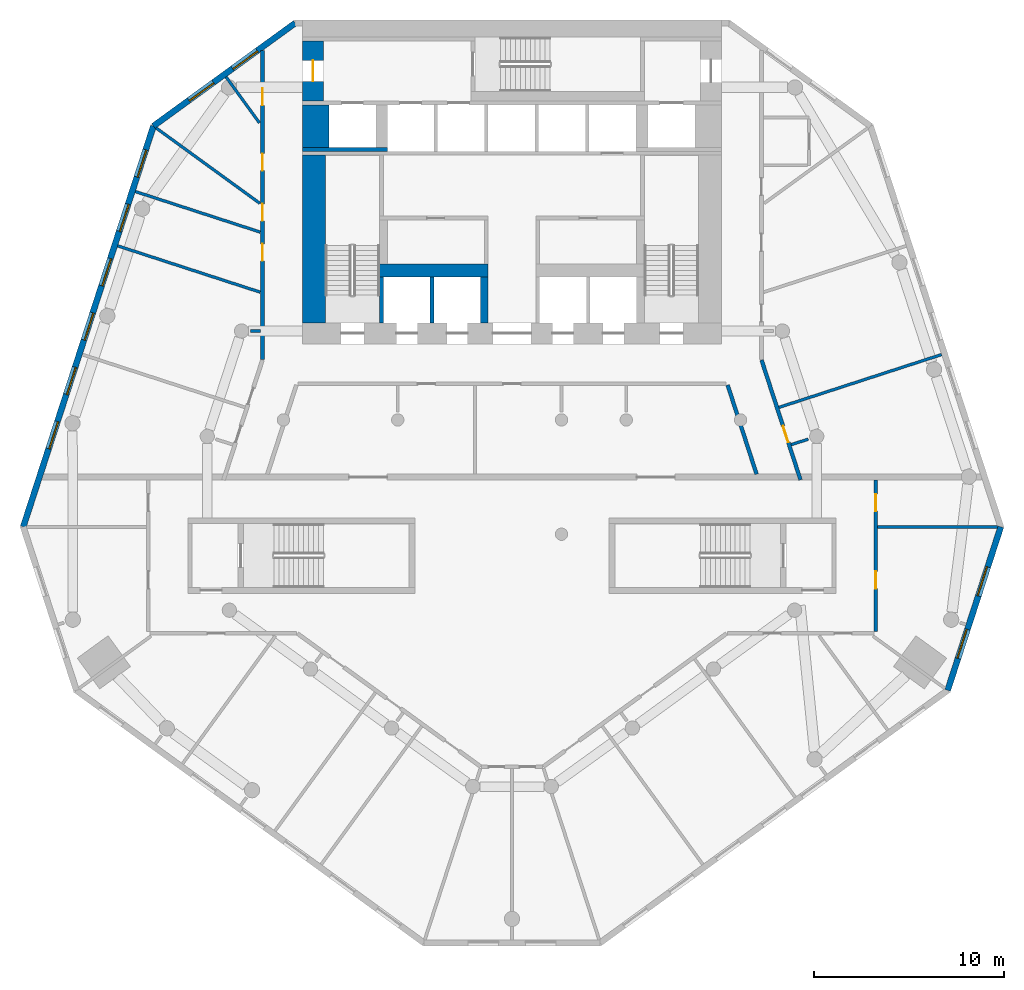
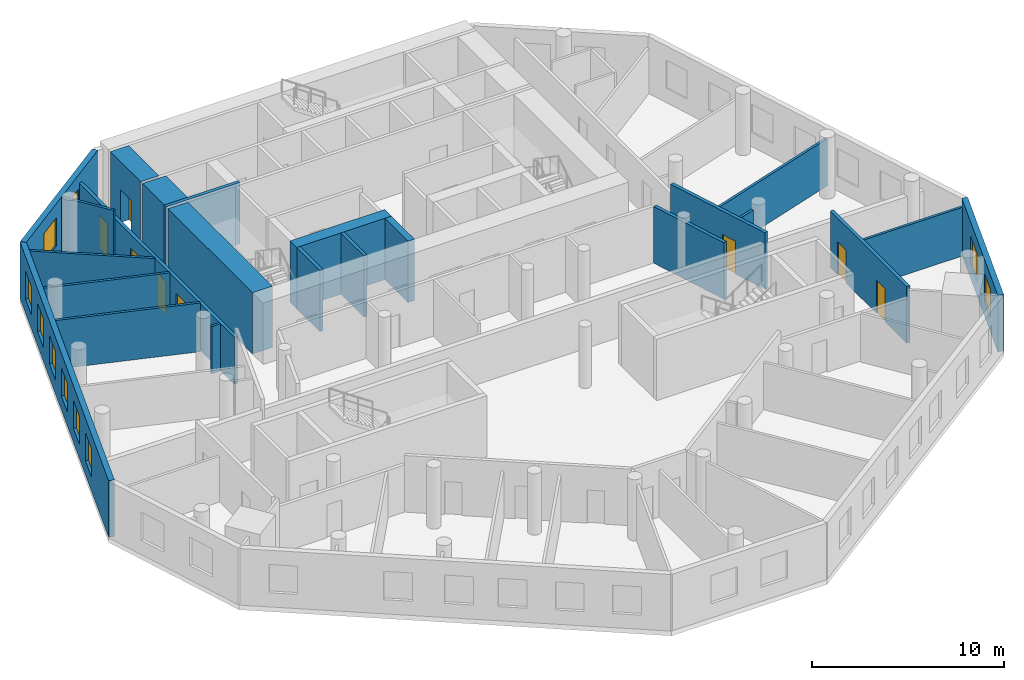
# One storey, part 4 of 9: 23 walls, 10 windows, 8 doors, 18 openings.
"""IFC4 building model written with IfcOpenShell, lengths in metres."""

import ifcopenshell
import ifcopenshell.guid

model = None  # the IFC model being written
_history = None  # IfcOwnerHistory: only IFC2X3 demands one
_inside = {}  # id of a spatial element -> (the spatial element, [elements in it])
_under = {}  # id of a project, library or spatial element -> (it, [spatial elements below it])
_declared = {}  # id of a project -> (the project, [libraries it declares])
_typed = {}  # id of a type object -> (the type object, [elements of that type])
_made_of = {}  # id of a material, layer set ... -> (it, [elements and type objects made of it])


def new_model(schema):
    """Start an empty IFC model of exactly this schema.

    Asked for "IFC4X3", IfcOpenShell would pick the latest addendum, in which some entities
    have other attributes; the version numbers below select the first issue.
    IFC2X3 requires an IfcOwnerHistory on every rooted entity: one is made here for all.
    """
    global model, _history
    if schema == "IFC4X3":
        model = ifcopenshell.file(schema_version=(4, 3, 0, 0))
    else:
        model = ifcopenshell.file(schema=schema)
    _inside.clear()
    _under.clear()
    _declared.clear()
    _typed.clear()
    _made_of.clear()
    _history = None
    if model.schema == "IFC2X3":
        org = make("IfcOrganization", Name="unknown")
        user = make(
            "IfcPersonAndOrganization",
            ThePerson=make("IfcPerson", FamilyName="unknown"),
            TheOrganization=org,
        )
        app = make(
            "IfcApplication",
            ApplicationDeveloper=org,
            Version="unknown",
            ApplicationFullName="unknown",
            ApplicationIdentifier="unknown",
        )
        _history = make(
            "IfcOwnerHistory",
            OwningUser=user,
            OwningApplication=app,
            ChangeAction="ADDED",
            CreationDate=0,
        )
    return model


def make(cls, **values):
    """One entity of the class cls with the attributes given. An attribute that is None is left unset."""
    return model.create_entity(
        cls, **{name: value for name, value in values.items() if value is not None}
    )


def rooted(cls, **values):
    """An entity with a GlobalId (a new one), such as an element, a storey or a relation."""
    return make(cls, GlobalId=ifcopenshell.guid.new(), OwnerHistory=_history, **values)


def si_unit(unit_type, name, prefix=None):
    """IfcSIUnit, for example si_unit("LENGTHUNIT", "METRE", prefix="MILLI")."""
    return make("IfcSIUnit", UnitType=unit_type, Prefix=prefix, Name=name)


def assignment(units):
    """IfcUnitAssignment: the units of a project."""
    return None if units is None else make("IfcUnitAssignment", Units=units)


def point(xyz):
    """IfcCartesianPoint."""
    return None if xyz is None else make("IfcCartesianPoint", Coordinates=xyz)


def direction(xyz):
    """IfcDirection."""
    return None if xyz is None else make("IfcDirection", DirectionRatios=xyz)


def frame(location, z_axis=None, x_axis=None):
    """IfcAxis2Placement3D, a coordinate frame: its origin and axes. An axis left out is left unset."""
    return make(
        "IfcAxis2Placement3D",
        Location=point(location),
        Axis=direction(z_axis),
        RefDirection=direction(x_axis),
    )


def frame_2d(location, x_axis=None):
    """IfcAxis2Placement2D, a coordinate frame in the plane: its origin and x axis."""
    return make(
        "IfcAxis2Placement2D", Location=point(location), RefDirection=direction(x_axis)
    )


def origin():
    """The frame at (0, 0, 0) with its axes left unset."""
    return frame((0.0, 0.0, 0.0))


def place(relative_to, where):
    """IfcLocalPlacement: puts the frame where relative to a parent placement (None: the world)."""
    return make(
        "IfcLocalPlacement", PlacementRelTo=relative_to, RelativePlacement=where
    )


def context(
    kind, dimensions, precision=None, world=None, true_north=None, identifier=None
):
    """IfcGeometricRepresentationContext, for example the 3D "Model" context."""
    return make(
        "IfcGeometricRepresentationContext",
        ContextIdentifier=identifier,
        ContextType=kind,
        CoordinateSpaceDimension=dimensions,
        Precision=precision,
        WorldCoordinateSystem=world,
        TrueNorth=true_north,
    )


def subcontext(parent, identifier, kind, view, scale=None):
    """IfcGeometricRepresentationSubContext, for example "Body" below "Model"."""
    return make(
        "IfcGeometricRepresentationSubContext",
        ContextIdentifier=identifier,
        ContextType=kind,
        ParentContext=parent,
        TargetScale=scale,
        TargetView=view,
    )


def project(units=None, contexts=None):
    """IfcProject with its units and contexts."""
    return rooted(
        "IfcProject",
        Name="project",
        RepresentationContexts=contexts,
        UnitsInContext=assignment(units),
    )


def spatial(cls, under=None, at=None, **own):
    """A site, building, storey or space (cls), placed at a placement, below another one or the project."""
    s = rooted(cls, ObjectPlacement=at, **own)
    if under is not None:
        _under.setdefault(under.id(), (under, []))[1].append(s)
    return s


def profile(cls, at=None, kind="AREA", **sizes):
    """A parametric profile (cls). Its sizes go by their IFC names, for example OverallWidth=200.0."""
    return make(cls, ProfileType=kind, Position=at, **sizes)


def rectangle(**sizes):
    """IfcRectangleProfileDef."""
    return profile("IfcRectangleProfileDef", **sizes)


def extrude(swept, where, along, depth):
    """IfcExtrudedAreaSolid: the profile swept, set in the frame where, extruded along a direction by depth."""
    return make(
        "IfcExtrudedAreaSolid",
        SweptArea=swept,
        Position=where,
        ExtrudedDirection=direction(along),
        Depth=depth,
    )


def shape(context_of_items, identifier, shape_type, items):
    """IfcShapeRepresentation: the items that make up one representation, for example the "Body"."""
    return make(
        "IfcShapeRepresentation",
        ContextOfItems=context_of_items,
        RepresentationIdentifier=identifier,
        RepresentationType=shape_type,
        Items=items,
    )


def material(Name=None, Category=None):
    """IfcMaterial."""
    return make("IfcMaterial", Name=Name, Category=Category)


def layer(
    of_material, thickness, ventilated=None, Name=None, Category=None, Priority=None
):
    """IfcMaterialLayer: one layer of a wall or slab, of a material (None: an air gap)."""
    return make(
        "IfcMaterialLayer",
        Material=of_material,
        LayerThickness=thickness,
        IsVentilated=ventilated,
        Name=Name,
        Category=Category,
        Priority=Priority,
    )


def layer_set(layers, Name=None):
    """IfcMaterialLayerSet."""
    return make("IfcMaterialLayerSet", MaterialLayers=layers, LayerSetName=Name)


def made_of(thing, what):
    """Note that an element or type object is made of a material, layer set ...; save() writes the relation."""
    if what is not None:
        _made_of.setdefault(what.id(), (what, []))[1].append(thing)
    return thing


def type_object(cls, material=None, **own):
    """A type object (cls), such as IfcWallType, which elements share."""
    return made_of(rooted(cls, **own), material)


def element(
    cls,
    number,
    at=None,
    inside=None,
    cuts=None,
    type_object=None,
    material=None,
    context=None,
    identifier="Body",
    shape_type=None,
    held_by="IfcProductDefinitionShape",
    body=None,
    shapes=None,
    **own,
):
    """One element of the class cls, such as IfcWall. Its Tag is "e" and its number.

    at: its placement. inside: the storey or other place that contains it. cuts: it is an
    opening in that element (IfcRelVoidsElement). A single representation is given by context,
    identifier, shape_type and body (its items); several are given by shapes. held_by: the class
    of the entity that holds the representations. save() writes the other relations.
    """
    e = rooted(cls, Tag="e%d" % number, ObjectPlacement=at, **own)
    if body is not None:
        shapes = [shape(context, identifier, shape_type, body)]
    if shapes is not None:
        e.Representation = make(held_by, Representations=shapes)
    if inside is not None:
        _inside.setdefault(inside.id(), (inside, []))[1].append(e)
    if cuts is not None:
        rooted(
            "IfcRelVoidsElement", RelatingBuildingElement=cuts, RelatedOpeningElement=e
        )
    if type_object is not None:
        _typed.setdefault(type_object.id(), (type_object, []))[1].append(e)
    return made_of(e, material)


def fill(opening, filler):
    """IfcRelFillsElement: the door or window that sits in an opening."""
    return rooted(
        "IfcRelFillsElement",
        RelatingOpeningElement=opening,
        RelatedBuildingElement=filler,
    )


def aggregate(whole, parts):
    """IfcRelAggregates: a whole, such as a stair, and the parts it consists of."""
    return rooted("IfcRelAggregates", RelatingObject=whole, RelatedObjects=parts)


def save(model, path):
    """Write the relations noted so far, then the file.

    IfcRelAggregates (storeys below a building ...), IfcRelContainedInSpatialStructure (elements
    in a storey), IfcRelDefinesByType, IfcRelAssociatesMaterial and IfcRelDeclares: one each for
    every whole, place, type object, material and project.
    """
    for whole, parts in _under.values():
        aggregate(whole, parts)
    for where, things in _inside.values():
        rooted(
            "IfcRelContainedInSpatialStructure",
            RelatedElements=things,
            RelatingStructure=where,
        )
    for kind, things in _typed.values():
        rooted("IfcRelDefinesByType", RelatedObjects=things, RelatingType=kind)
    for what, things in _made_of.values():
        rooted("IfcRelAssociatesMaterial", RelatedObjects=things, RelatingMaterial=what)
    for by, libraries in _declared.values():
        rooted("IfcRelDeclares", RelatingContext=by, RelatedDefinitions=libraries)
    model.write(path)


model = new_model("IFC4")

# Units and contexts
model_context = context("Model", 3, precision=1e-05, world=origin(), true_north=direction((0.0, 1.0)))
body_context = subcontext(model_context, "Body", "Model", "MODEL_VIEW")
ifc_project = project(units=[si_unit("LENGTHUNIT", "METRE"), si_unit("AREAUNIT", "SQUARE_METRE"), si_unit("VOLUMEUNIT", "CUBIC_METRE"), si_unit("PLANEANGLEUNIT", "RADIAN"), si_unit("MASSUNIT", "GRAM", prefix="KILO")], contexts=[model_context])

# Site, building, storey
site_placement = place(None, origin())
site = spatial("IfcSite", under=ifc_project, at=site_placement, CompositionType="ELEMENT")
building_placement = place(site_placement, origin())
building = spatial("IfcBuilding", under=site, at=building_placement, Name="White Candle Pilgrim Tower", CompositionType="ELEMENT")
storey_placement = place(building_placement, frame((0.0, 0.0, 106.39990234375)))
storey = spatial("IfcBuildingStorey", under=building, at=storey_placement, Name="L23", CompositionType="ELEMENT", Elevation=106.39990234375)

# Wall, opening, door
ifc_material_1 = material(Name="Concrete C60/75", Category="concrete")
ifc_layer_1 = layer(ifc_material_1, 1.10009765625)
ifc_layer_set_1 = layer_set([ifc_layer_1], Name="Core wall 1100 mm Concrete C60/75")
wall_type_1 = type_object("IfcWallType", Name="Core wall 1100 mm Concrete C60/75", PredefinedType="SHEAR", material=ifc_layer_set_1)
wall_1_placement = place(storey_placement, frame((59.550048828125, 83.75, 0.0), z_axis=(0.0, 0.0, 1.0), x_axis=(0.0, 1.0, 0.0)))
wall_1 = element("IfcWall", 1, at=wall_1_placement, inside=storey, type_object=wall_type_1, Name="WL-L23-C42", PredefinedType="SHEAR", context=body_context, shape_type="SweptSolid", body=[
    extrude(rectangle(XDim=3.14990234375, YDim=1.10009765625, at=frame_2d((1.574951171875, 0.0))), origin(), (0.0, 0.0, 1.0), 3.900146484375),
])
opening_1_placement = place(wall_1_placement, frame((1.02490234375, 0.0, 0.0)))
opening_1 = element("IfcOpeningElement", 2, at=opening_1_placement, cuts=wall_1, Name="Opening T07-005", PredefinedType="OPENING", context=body_context, shape_type="SweptSolid", body=[
    extrude(rectangle(XDim=1.10009765625, YDim=2.10009765625, at=frame_2d((0.550048828125, 1.050048828125))), frame((0.0, 0.56005859375, 0.0), z_axis=(0.0, -1.0, 0.0), x_axis=(1.0, 0.0, 0.0)), (0.0, 0.0, 1.0), 1.1201171875),
])
ifc_material_2 = material(Name="Steel door leaf", Category="steel")
door_type_1 = type_object("IfcDoorType", Name="Fire door 1100 x 2100 EI 60", OperationType="NOTDEFINED", PredefinedType="DOOR", material=ifc_material_2)
door_1_placement = place(opening_1_placement, origin())
door_1 = element("IfcDoor", 3, at=door_1_placement, inside=storey, type_object=door_type_1, Name="Door T07-005", OperationType="SINGLE_SWING_LEFT", OverallHeight=2.10009765625, OverallWidth=1.10009765625, PredefinedType="DOOR", context=body_context, shape_type="SweptSolid", body=[
    extrude(rectangle(XDim=1.10009765625, YDim=2.10009765625, at=frame_2d((0.550048828125, 1.050048828125))), frame((0.0, 0.02490234375, 0.0), z_axis=(0.0, -1.0, 0.0), x_axis=(1.0, 0.0, 0.0)), (0.0, 0.0, 1.0), 0.050048828125),
])
fill(opening_1, door_1)

# Walls
ifc_layer_2 = layer(ifc_material_1, 1.39990234375)
ifc_layer_set_2 = layer_set([ifc_layer_2], Name="Core wall 1400 mm Concrete C60/75")
wall_type_2 = type_object("IfcWallType", Name="Core wall 1400 mm Concrete C60/75", PredefinedType="SHEAR", material=ifc_layer_set_2)
wall_2_placement = place(storey_placement, frame((59.699951171875, 81.300048828125, 0.0), z_axis=(0.0, 0.0, 1.0), x_axis=(0.0, 1.0, 0.0)))
element("IfcWall", 4, at=wall_2_placement, inside=storey, type_object=wall_type_2, Name="WL-L23-C37", PredefinedType="SHEAR", context=body_context, shape_type="SweptSolid", body=[
    extrude(rectangle(XDim=2.25, YDim=1.39990234375, at=frame_2d((1.125, 0.0))), origin(), (0.0, 0.0, 1.0), 3.900146484375),
])
ifc_layer_3 = layer(ifc_material_1, 0.199951171875)
ifc_layer_set_3 = layer_set([ifc_layer_3], Name="Core wall 200 mm Concrete C60/75")
wall_type_3 = type_object("IfcWallType", Name="Core wall 200 mm Concrete C60/75", PredefinedType="SHEAR", material=ifc_layer_set_3)
wall_3_placement = place(storey_placement, frame((59.0, 81.199951171875, 0.0), z_axis=(0.0, 0.0, 1.0), x_axis=(1.0, 0.0, 0.0)))
element("IfcWall", 5, at=wall_3_placement, inside=storey, type_object=wall_type_3, Name="WL-L23-C31", PredefinedType="SHEAR", context=body_context, shape_type="SweptSolid", body=[
    extrude(rectangle(XDim=4.449951171875, YDim=0.199951171875, at=frame_2d((2.22509765625, 0.0))), origin(), (0.0, 0.0, 1.0), 3.900146484375),
])

# Wall, openings, doors
ifc_material_3 = material(Name="Gypsum board on steel studs", Category="steel")
ifc_layer_4 = layer(ifc_material_3, 0.199951171875)
ifc_layer_set_4 = layer_set([ifc_layer_4], Name="Corridor wall 200 mm EI 45")
wall_type_4 = type_object("IfcWallType", Name="Corridor wall 200 mm EI 45", PredefinedType="PARTITIONING", material=ifc_layer_set_4)
wall_4_placement = place(storey_placement, frame((56.89990234375, 70.17431640625, 0.0), z_axis=(0.0, 0.0, 1.0), x_axis=(0.0, 1.0, 0.0)))
wall_4 = element("IfcWall", 6, at=wall_4_placement, inside=storey, type_object=wall_type_4, Name="WL-L23-P003", PredefinedType="PARTITIONING", context=body_context, shape_type="SweptSolid", body=[
    extrude(rectangle(XDim=16.221923828125, YDim=0.199951171875, at=frame_2d((8.11083984375, 0.0))), origin(), (0.0, 0.0, 1.0), 3.0),
])
opening_2_placement = place(wall_4_placement, frame((5.176025390625, 0.0, 0.0)))
opening_2 = element("IfcOpeningElement", 7, at=opening_2_placement, cuts=wall_4, Name="Opening T07-119", PredefinedType="OPENING", context=body_context, shape_type="SweptSolid", body=[
    extrude(rectangle(XDim=0.89990234375, YDim=2.10009765625, at=frame_2d((0.449951171875, 1.050048828125))), frame((0.0, 0.10986328125, 0.0), z_axis=(0.0, -1.0, 0.0), x_axis=(1.0, 0.0, 0.0)), (0.0, 0.0, 1.0), 0.219970703125),
])
opening_3_placement = place(wall_4_placement, frame((7.272216796875, 0.0, 0.0)))
opening_3 = element("IfcOpeningElement", 8, at=opening_3_placement, cuts=wall_4, Name="Opening T07-120", PredefinedType="OPENING", context=body_context, shape_type="SweptSolid", body=[
    extrude(rectangle(XDim=0.89990234375, YDim=2.10009765625, at=frame_2d((0.449951171875, 1.050048828125))), frame((0.0, 0.10986328125, 0.0), z_axis=(0.0, -1.0, 0.0), x_axis=(1.0, 0.0, 0.0)), (0.0, 0.0, 1.0), 0.219970703125),
])
opening_4_placement = place(wall_4_placement, frame((9.91455078125, 0.0, 0.0)))
opening_4 = element("IfcOpeningElement", 9, at=opening_4_placement, cuts=wall_4, Name="Opening T07-121", PredefinedType="OPENING", context=body_context, shape_type="SweptSolid", body=[
    extrude(rectangle(XDim=0.89990234375, YDim=2.10009765625, at=frame_2d((0.449951171875, 1.050048828125))), frame((0.0, 0.10986328125, 0.0), z_axis=(0.0, -1.0, 0.0), x_axis=(1.0, 0.0, 0.0)), (0.0, 0.0, 1.0), 0.219970703125),
])
opening_5_placement = place(wall_4_placement, frame((13.338623046875, 0.0, 0.0)))
opening_5 = element("IfcOpeningElement", 10, at=opening_5_placement, cuts=wall_4, Name="Opening T07-122", PredefinedType="OPENING", context=body_context, shape_type="SweptSolid", body=[
    extrude(rectangle(XDim=0.89990234375, YDim=2.10009765625, at=frame_2d((0.449951171875, 1.050048828125))), frame((0.0, 0.10986328125, 0.0), z_axis=(0.0, -1.0, 0.0), x_axis=(1.0, 0.0, 0.0)), (0.0, 0.0, 1.0), 0.219970703125),
])
door_type_2 = type_object("IfcDoorType", Name="Fire door 900 x 2100 EI 30", OperationType="NOTDEFINED", PredefinedType="DOOR", material=ifc_material_2)
door_2_placement = place(opening_2_placement, origin())
door_2 = element("IfcDoor", 11, at=door_2_placement, inside=storey, type_object=door_type_2, Name="Door T07-119", OperationType="SINGLE_SWING_LEFT", OverallHeight=2.10009765625, OverallWidth=0.89990234375, PredefinedType="DOOR", context=body_context, shape_type="SweptSolid", body=[
    extrude(rectangle(XDim=0.89990234375, YDim=2.10009765625, at=frame_2d((0.449951171875, 1.050048828125))), frame((0.0, 0.02490234375, 0.0), z_axis=(0.0, -1.0, 0.0), x_axis=(1.0, 0.0, 0.0)), (0.0, 0.0, 1.0), 0.050048828125),
])
fill(opening_2, door_2)
door_3_placement = place(opening_3_placement, origin())
door_3 = element("IfcDoor", 12, at=door_3_placement, inside=storey, type_object=door_type_2, Name="Door T07-120", OperationType="SINGLE_SWING_RIGHT", OverallHeight=2.10009765625, OverallWidth=0.89990234375, PredefinedType="DOOR", context=body_context, shape_type="SweptSolid", body=[
    extrude(rectangle(XDim=0.89990234375, YDim=2.10009765625, at=frame_2d((0.449951171875, 1.050048828125))), frame((0.0, 0.02490234375, 0.0), z_axis=(0.0, -1.0, 0.0), x_axis=(1.0, 0.0, 0.0)), (0.0, 0.0, 1.0), 0.050048828125),
])
fill(opening_3, door_3)
door_4_placement = place(opening_4_placement, origin())
door_4 = element("IfcDoor", 13, at=door_4_placement, inside=storey, type_object=door_type_2, Name="Door T07-121", OperationType="SINGLE_SWING_LEFT", OverallHeight=2.10009765625, OverallWidth=0.89990234375, PredefinedType="DOOR", context=body_context, shape_type="SweptSolid", body=[
    extrude(rectangle(XDim=0.89990234375, YDim=2.10009765625, at=frame_2d((0.449951171875, 1.050048828125))), frame((0.0, 0.02490234375, 0.0), z_axis=(0.0, -1.0, 0.0), x_axis=(1.0, 0.0, 0.0)), (0.0, 0.0, 1.0), 0.050048828125),
])
fill(opening_4, door_4)
door_5_placement = place(opening_5_placement, origin())
door_5 = element("IfcDoor", 14, at=door_5_placement, inside=storey, type_object=door_type_2, Name="Door T07-122", OperationType="SINGLE_SWING_RIGHT", OverallHeight=2.10009765625, OverallWidth=0.89990234375, PredefinedType="DOOR", context=body_context, shape_type="SweptSolid", body=[
    extrude(rectangle(XDim=0.89990234375, YDim=2.10009765625, at=frame_2d((0.449951171875, 1.050048828125))), frame((0.0, 0.02490234375, 0.0), z_axis=(0.0, -1.0, 0.0), x_axis=(1.0, 0.0, 0.0)), (0.0, 0.0, 1.0), 0.050048828125),
])
fill(opening_5, door_5)

# Wall, opening, door
wall_5_placement = place(storey_placement, frame((83.10498046875, 70.143310546875, 0.0), z_axis=(0.0, 0.0, 1.0), x_axis=(0.309001809517, -0.951061450021, 0.0)))
wall_5 = element("IfcWall", 15, at=wall_5_placement, inside=storey, type_object=wall_type_4, Name="WL-L23-P005", PredefinedType="PARTITIONING", context=body_context, shape_type="SweptSolid", body=[
    extrude(rectangle(XDim=6.616943359375, YDim=0.199951171875, at=frame_2d((3.30859375, 0.0))), origin(), (0.0, 0.0, 1.0), 3.60009765625),
])
opening_6_placement = place(wall_5_placement, frame((3.640869140625, 0.0, 0.0)))
opening_6 = element("IfcOpeningElement", 16, at=opening_6_placement, cuts=wall_5, Name="Opening T07-126", PredefinedType="OPENING", context=body_context, shape_type="SweptSolid", body=[
    extrude(rectangle(XDim=0.89990234375, YDim=2.10009765625, at=frame_2d((0.449951171875, 1.050048828125))), frame((0.0, 0.10986328125, 0.0), z_axis=(0.0, -1.0, 0.0), x_axis=(1.0, 0.0, 0.0)), (0.0, 0.0, 1.0), 0.219970703125),
])
door_6_placement = place(opening_6_placement, origin())
door_6 = element("IfcDoor", 17, at=door_6_placement, inside=storey, type_object=door_type_2, Name="Door T07-126", OperationType="SINGLE_SWING_RIGHT", OverallHeight=2.10009765625, OverallWidth=0.89990234375, PredefinedType="DOOR", context=body_context, shape_type="SweptSolid", body=[
    extrude(rectangle(XDim=0.89990234375, YDim=2.10009765625, at=frame_2d((0.449951171875, 1.050048828125))), frame((0.0, 0.02490234375, 0.0), z_axis=(0.0, -1.0, 0.0), x_axis=(1.0, 0.0, 0.0)), (0.0, 0.0, 1.0), 0.050048828125),
])
fill(opening_6, door_6)

# Wall, openings, doors
wall_6_placement = place(storey_placement, frame((89.10009765625, 63.85009765625, 0.0), z_axis=(0.0, 0.0, 1.0), x_axis=(0.0, -1.0, 0.0)))
wall_6 = element("IfcWall", 18, at=wall_6_placement, inside=storey, type_object=wall_type_4, Name="WL-L23-P006", PredefinedType="PARTITIONING", context=body_context, shape_type="SweptSolid", body=[
    extrude(rectangle(XDim=7.9501953125, YDim=0.199951171875, at=frame_2d((3.97509765625, 0.0))), origin(), (0.0, 0.0, 1.0), 3.60009765625),
])
opening_7_placement = place(wall_6_placement, frame((4.806640625, 0.0, 0.0)))
opening_7 = element("IfcOpeningElement", 19, at=opening_7_placement, cuts=wall_6, Name="Opening T07-112", PredefinedType="OPENING", context=body_context, shape_type="SweptSolid", body=[
    extrude(rectangle(XDim=0.89990234375, YDim=2.10009765625, at=frame_2d((0.449951171875, 1.050048828125))), frame((0.0, 0.10986328125, 0.0), z_axis=(0.0, -1.0, 0.0), x_axis=(1.0, 0.0, 0.0)), (0.0, 0.0, 1.0), 0.219970703125),
])
opening_8_placement = place(wall_6_placement, frame((0.744140625, 0.0, 0.0)))
opening_8 = element("IfcOpeningElement", 20, at=opening_8_placement, cuts=wall_6, Name="Opening T07-127", PredefinedType="OPENING", context=body_context, shape_type="SweptSolid", body=[
    extrude(rectangle(XDim=0.89990234375, YDim=2.10009765625, at=frame_2d((0.449951171875, 1.050048828125))), frame((0.0, 0.10986328125, 0.0), z_axis=(0.0, -1.0, 0.0), x_axis=(1.0, 0.0, 0.0)), (0.0, 0.0, 1.0), 0.219970703125),
])
door_7_placement = place(opening_7_placement, origin())
door_7 = element("IfcDoor", 21, at=door_7_placement, inside=storey, type_object=door_type_2, Name="Door T07-112", OperationType="SINGLE_SWING_RIGHT", OverallHeight=2.10009765625, OverallWidth=0.89990234375, PredefinedType="DOOR", context=body_context, shape_type="SweptSolid", body=[
    extrude(rectangle(XDim=0.89990234375, YDim=2.10009765625, at=frame_2d((0.449951171875, 1.050048828125))), frame((0.0, 0.02490234375, 0.0), z_axis=(0.0, -1.0, 0.0), x_axis=(1.0, 0.0, 0.0)), (0.0, 0.0, 1.0), 0.050048828125),
])
fill(opening_7, door_7)
door_8_placement = place(opening_8_placement, origin())
door_8 = element("IfcDoor", 22, at=door_8_placement, inside=storey, type_object=door_type_2, Name="Door T07-127", OperationType="SINGLE_SWING_LEFT", OverallHeight=2.10009765625, OverallWidth=0.89990234375, PredefinedType="DOOR", context=body_context, shape_type="SweptSolid", body=[
    extrude(rectangle(XDim=0.89990234375, YDim=2.10009765625, at=frame_2d((0.449951171875, 1.050048828125))), frame((0.0, 0.02490234375, 0.0), z_axis=(0.0, -1.0, 0.0), x_axis=(1.0, 0.0, 0.0)), (0.0, 0.0, 1.0), 0.050048828125),
])
fill(opening_8, door_8)

# Wall
wall_7_placement = place(storey_placement, frame((82.84423828125, 64.14990234375, 0.0), z_axis=(0.0, 0.0, 1.0), x_axis=(-0.309031112369, 0.951051928965, 0.0)))
element("IfcWall", 23, at=wall_7_placement, inside=storey, type_object=wall_type_4, Name="WL-L23-P015", PredefinedType="PARTITIONING", context=body_context, shape_type="SweptSolid", body=[
    extrude(rectangle(XDim=4.921875, YDim=0.199951171875, at=frame_2d((2.4609375, 0.0))), origin(), (0.0, 0.0, 1.0), 3.60009765625),
])

# Wall, openings, windows
ifc_material_4 = material(Name="Precast concrete C40/50", Category="concrete")
ifc_layer_5 = layer(ifc_material_4, 0.320068359375)
ifc_layer_set_5 = layer_set([ifc_layer_5], Name="Facade wall EW1 precast concrete C40/50 pier wall with timber-lined reveals")
wall_type_5 = type_object("IfcWallType", Name="Facade wall EW1 precast concrete C40/50 pier wall with timber-lined reveals", PredefinedType="SOLIDWALL", material=ifc_layer_set_5)
wall_8_placement = place(storey_placement, frame((92.875732421875, 52.800537109375, 0.0), z_axis=(0.0, 0.0, 1.0), x_axis=(0.309014528868, 0.951057317384, 0.0)))
wall_8 = element("IfcWall", 24, at=wall_8_placement, inside=storey, type_object=wall_type_5, Name="Facade wall L23 E chamfer", PredefinedType="SOLIDWALL", context=body_context, shape_type="SweptSolid", body=[
    extrude(rectangle(XDim=9.028076171875, YDim=0.320068359375, at=frame_2d((4.51416015625, 0.0))), origin(), (0.0, 0.0, 1.0), 3.60009765625),
])
opening_9_placement = place(wall_8_placement, frame((1.763916015625, 0.0, 0.89990234375)))
opening_9 = element("IfcOpeningElement", 25, at=opening_9_placement, cuts=wall_8, Name="Opening W2", PredefinedType="OPENING", context=body_context, shape_type="SweptSolid", body=[
    extrude(rectangle(XDim=1.60009765625, YDim=1.800048828125, at=frame_2d((0.800048828125, 0.89990234375))), frame((0.0, 0.169921875, 0.0), z_axis=(0.0, -1.0, 0.0), x_axis=(1.0, 0.0, 0.0)), (0.0, 0.0, 1.0), 0.340087890625),
])
opening_10_placement = place(wall_8_placement, frame((5.214111328125, 0.0, 0.89990234375)))
opening_10 = element("IfcOpeningElement", 26, at=opening_10_placement, cuts=wall_8, Name="Opening W2", PredefinedType="OPENING", context=body_context, shape_type="SweptSolid", body=[
    extrude(rectangle(XDim=1.60009765625, YDim=1.800048828125, at=frame_2d((0.800048828125, 0.89990234375))), frame((0.0, 0.169921875, 0.0), z_axis=(0.0, -1.0, 0.0), x_axis=(1.0, 0.0, 0.0)), (0.0, 0.0, 1.0), 0.340087890625),
])
ifc_material_5 = material(Name="Timber frame with triple glazing", Category="wood")
window_type_1 = type_object("IfcWindowType", Name="Window W2 1600x1800 timber frame triple glazing", PartitioningType="SINGLE_PANEL", PredefinedType="WINDOW", material=ifc_material_5)
window_1_placement = place(opening_9_placement, origin())
window_1 = element("IfcWindow", 27, at=window_1_placement, inside=storey, type_object=window_type_1, Name="Window W2 L23 E chamfer 1", OverallHeight=1.800048828125, OverallWidth=1.60009765625, PartitioningType="SINGLE_PANEL", PredefinedType="WINDOW", context=body_context, shape_type="SweptSolid", body=[
    extrude(rectangle(XDim=1.60009765625, YDim=1.800048828125, at=frame_2d((0.800048828125, 0.89990234375))), frame((0.0, 0.070068359375, 0.0), z_axis=(0.0, -1.0, 0.0), x_axis=(1.0, 0.0, 0.0)), (0.0, 0.0, 1.0), 0.06005859375),
])
fill(opening_9, window_1)
window_2_placement = place(opening_10_placement, origin())
window_2 = element("IfcWindow", 28, at=window_2_placement, inside=storey, type_object=window_type_1, Name="Window W2 L23 E chamfer 2", OverallHeight=1.800048828125, OverallWidth=1.60009765625, PartitioningType="SINGLE_PANEL", PredefinedType="WINDOW", context=body_context, shape_type="SweptSolid", body=[
    extrude(rectangle(XDim=1.60009765625, YDim=1.800048828125, at=frame_2d((0.800048828125, 0.89990234375))), frame((0.0, 0.070068359375, 0.0), z_axis=(0.0, -1.0, 0.0), x_axis=(1.0, 0.0, 0.0)), (0.0, 0.0, 1.0), 0.06005859375),
])
fill(opening_10, window_2)

wall_9_placement = place(storey_placement, frame((58.614990234375, 87.840087890625, 0.0), z_axis=(0.0, 0.0, 1.0), x_axis=(-0.809006846007, -0.587799220069, 0.0)))
wall_9 = element("IfcWall", 29, at=wall_9_placement, inside=storey, type_object=wall_type_5, Name="Facade wall L23 NW chamfer", PredefinedType="SOLIDWALL", context=body_context, shape_type="SweptSolid", body=[
    extrude(rectangle(XDim=9.19921875, YDim=0.320068359375, at=frame_2d((4.599609375, 0.0))), origin(), (0.0, 0.0, 1.0), 3.60009765625),
])
opening_11_placement = place(wall_9_placement, frame((2.459716796875, 0.0, 0.89990234375)))
opening_11 = element("IfcOpeningElement", 30, at=opening_11_placement, cuts=wall_9, Name="Opening W2", PredefinedType="OPENING", context=body_context, shape_type="SweptSolid", body=[
    extrude(rectangle(XDim=1.60009765625, YDim=1.800048828125, at=frame_2d((0.800048828125, 0.89990234375))), frame((0.0, 0.169921875, 0.0), z_axis=(0.0, -1.0, 0.0), x_axis=(1.0, 0.0, 0.0)), (0.0, 0.0, 1.0), 0.340087890625),
])
opening_12_placement = place(wall_9_placement, frame((5.299560546875, 0.0, 0.89990234375)))
opening_12 = element("IfcOpeningElement", 31, at=opening_12_placement, cuts=wall_9, Name="Opening W2", PredefinedType="OPENING", context=body_context, shape_type="SweptSolid", body=[
    extrude(rectangle(XDim=1.60009765625, YDim=1.800048828125, at=frame_2d((0.800048828125, 0.89990234375))), frame((0.0, 0.169921875, 0.0), z_axis=(0.0, -1.0, 0.0), x_axis=(1.0, 0.0, 0.0)), (0.0, 0.0, 1.0), 0.340087890625),
])
window_3_placement = place(opening_11_placement, origin())
window_3 = element("IfcWindow", 32, at=window_3_placement, inside=storey, type_object=window_type_1, Name="Window W2 L23 NW chamfer 1", OverallHeight=1.800048828125, OverallWidth=1.60009765625, PartitioningType="SINGLE_PANEL", PredefinedType="WINDOW", context=body_context, shape_type="SweptSolid", body=[
    extrude(rectangle(XDim=1.60009765625, YDim=1.800048828125, at=frame_2d((0.800048828125, 0.89990234375))), frame((0.0, 0.070068359375, 0.0), z_axis=(0.0, -1.0, 0.0), x_axis=(1.0, 0.0, 0.0)), (0.0, 0.0, 1.0), 0.06005859375),
])
fill(opening_11, window_3)
window_4_placement = place(opening_12_placement, origin())
window_4 = element("IfcWindow", 33, at=window_4_placement, inside=storey, type_object=window_type_1, Name="Window W2 L23 NW chamfer 2", OverallHeight=1.800048828125, OverallWidth=1.60009765625, PartitioningType="SINGLE_PANEL", PredefinedType="WINDOW", context=body_context, shape_type="SweptSolid", body=[
    extrude(rectangle(XDim=1.60009765625, YDim=1.800048828125, at=frame_2d((0.800048828125, 0.89990234375))), frame((0.0, 0.070068359375, 0.0), z_axis=(0.0, -1.0, 0.0), x_axis=(1.0, 0.0, 0.0)), (0.0, 0.0, 1.0), 0.06005859375),
])
fill(opening_12, window_4)

wall_10_placement = place(storey_placement, frame((51.1728515625, 82.432861328125, 0.0), z_axis=(0.0, 0.0, 1.0), x_axis=(-0.30901996398, -0.951055551407, 0.0)))
wall_10 = element("IfcWall", 34, at=wall_10_placement, inside=storey, type_object=wall_type_5, Name="Facade wall L23 WNW", PredefinedType="SOLIDWALL", context=body_context, shape_type="SweptSolid", body=[
    extrude(rectangle(XDim=22.129150390625, YDim=0.320068359375, at=frame_2d((11.064453125, 0.0))), origin(), (0.0, 0.0, 1.0), 3.60009765625),
])
opening_13_placement = place(wall_10_placement, frame((1.314697265625, 0.0, 0.89990234375)))
opening_13 = element("IfcOpeningElement", 35, at=opening_13_placement, cuts=wall_10, Name="Opening W1", PredefinedType="OPENING", context=body_context, shape_type="SweptSolid", body=[
    extrude(rectangle(XDim=1.5, YDim=1.800048828125, at=frame_2d((0.75, 0.89990234375))), frame((0.0, 0.169921875, 0.0), z_axis=(0.0, -1.0, 0.0), x_axis=(1.0, 0.0, 0.0)), (0.0, 0.0, 1.0), 0.340087890625),
])
opening_14_placement = place(wall_10_placement, frame((4.314697265625, 0.0, 0.89990234375)))
opening_14 = element("IfcOpeningElement", 36, at=opening_14_placement, cuts=wall_10, Name="Opening W1", PredefinedType="OPENING", context=body_context, shape_type="SweptSolid", body=[
    extrude(rectangle(XDim=1.5, YDim=1.800048828125, at=frame_2d((0.75, 0.89990234375))), frame((0.0, 0.169921875, 0.0), z_axis=(0.0, -1.0, 0.0), x_axis=(1.0, 0.0, 0.0)), (0.0, 0.0, 1.0), 0.340087890625),
])
opening_15_placement = place(wall_10_placement, frame((7.314697265625, 0.0, 0.89990234375)))
opening_15 = element("IfcOpeningElement", 37, at=opening_15_placement, cuts=wall_10, Name="Opening W1", PredefinedType="OPENING", context=body_context, shape_type="SweptSolid", body=[
    extrude(rectangle(XDim=1.5, YDim=1.800048828125, at=frame_2d((0.75, 0.89990234375))), frame((0.0, 0.169921875, 0.0), z_axis=(0.0, -1.0, 0.0), x_axis=(1.0, 0.0, 0.0)), (0.0, 0.0, 1.0), 0.340087890625),
])
opening_16_placement = place(wall_10_placement, frame((10.314697265625, 0.0, 0.89990234375)))
opening_16 = element("IfcOpeningElement", 38, at=opening_16_placement, cuts=wall_10, Name="Opening W1", PredefinedType="OPENING", context=body_context, shape_type="SweptSolid", body=[
    extrude(rectangle(XDim=1.5, YDim=1.800048828125, at=frame_2d((0.75, 0.89990234375))), frame((0.0, 0.169921875, 0.0), z_axis=(0.0, -1.0, 0.0), x_axis=(1.0, 0.0, 0.0)), (0.0, 0.0, 1.0), 0.340087890625),
])
opening_17_placement = place(wall_10_placement, frame((13.314697265625, 0.0, 0.89990234375)))
opening_17 = element("IfcOpeningElement", 39, at=opening_17_placement, cuts=wall_10, Name="Opening W1", PredefinedType="OPENING", context=body_context, shape_type="SweptSolid", body=[
    extrude(rectangle(XDim=1.5, YDim=1.800048828125, at=frame_2d((0.75, 0.89990234375))), frame((0.0, 0.169921875, 0.0), z_axis=(0.0, -1.0, 0.0), x_axis=(1.0, 0.0, 0.0)), (0.0, 0.0, 1.0), 0.340087890625),
])
opening_18_placement = place(wall_10_placement, frame((16.314697265625, 0.0, 0.89990234375)))
opening_18 = element("IfcOpeningElement", 40, at=opening_18_placement, cuts=wall_10, Name="Opening W1", PredefinedType="OPENING", context=body_context, shape_type="SweptSolid", body=[
    extrude(rectangle(XDim=1.5, YDim=1.800048828125, at=frame_2d((0.75, 0.89990234375))), frame((0.0, 0.169921875, 0.0), z_axis=(0.0, -1.0, 0.0), x_axis=(1.0, 0.0, 0.0)), (0.0, 0.0, 1.0), 0.340087890625),
])
window_type_2 = type_object("IfcWindowType", Name="Window W1 1500x1800 timber frame triple glazing", PartitioningType="SINGLE_PANEL", PredefinedType="WINDOW", material=ifc_material_5)
window_5_placement = place(opening_13_placement, origin())
window_5 = element("IfcWindow", 41, at=window_5_placement, inside=storey, type_object=window_type_2, Name="Window W1 L23 WNW 1", OverallHeight=1.800048828125, OverallWidth=1.5, PartitioningType="SINGLE_PANEL", PredefinedType="WINDOW", context=body_context, shape_type="SweptSolid", body=[
    extrude(rectangle(XDim=1.5, YDim=1.800048828125, at=frame_2d((0.75, 0.89990234375))), frame((0.0, 0.070068359375, 0.0), z_axis=(0.0, -1.0, 0.0), x_axis=(1.0, 0.0, 0.0)), (0.0, 0.0, 1.0), 0.06005859375),
])
fill(opening_13, window_5)
window_6_placement = place(opening_14_placement, origin())
window_6 = element("IfcWindow", 42, at=window_6_placement, inside=storey, type_object=window_type_2, Name="Window W1 L23 WNW 2", OverallHeight=1.800048828125, OverallWidth=1.5, PartitioningType="SINGLE_PANEL", PredefinedType="WINDOW", context=body_context, shape_type="SweptSolid", body=[
    extrude(rectangle(XDim=1.5, YDim=1.800048828125, at=frame_2d((0.75, 0.89990234375))), frame((0.0, 0.070068359375, 0.0), z_axis=(0.0, -1.0, 0.0), x_axis=(1.0, 0.0, 0.0)), (0.0, 0.0, 1.0), 0.06005859375),
])
fill(opening_14, window_6)
window_7_placement = place(opening_15_placement, origin())
window_7 = element("IfcWindow", 43, at=window_7_placement, inside=storey, type_object=window_type_2, Name="Window W1 L23 WNW 3", OverallHeight=1.800048828125, OverallWidth=1.5, PartitioningType="SINGLE_PANEL", PredefinedType="WINDOW", context=body_context, shape_type="SweptSolid", body=[
    extrude(rectangle(XDim=1.5, YDim=1.800048828125, at=frame_2d((0.75, 0.89990234375))), frame((0.0, 0.070068359375, 0.0), z_axis=(0.0, -1.0, 0.0), x_axis=(1.0, 0.0, 0.0)), (0.0, 0.0, 1.0), 0.06005859375),
])
fill(opening_15, window_7)
window_8_placement = place(opening_16_placement, origin())
window_8 = element("IfcWindow", 44, at=window_8_placement, inside=storey, type_object=window_type_2, Name="Window W1 L23 WNW 4", OverallHeight=1.800048828125, OverallWidth=1.5, PartitioningType="SINGLE_PANEL", PredefinedType="WINDOW", context=body_context, shape_type="SweptSolid", body=[
    extrude(rectangle(XDim=1.5, YDim=1.800048828125, at=frame_2d((0.75, 0.89990234375))), frame((0.0, 0.070068359375, 0.0), z_axis=(0.0, -1.0, 0.0), x_axis=(1.0, 0.0, 0.0)), (0.0, 0.0, 1.0), 0.06005859375),
])
fill(opening_16, window_8)
window_9_placement = place(opening_17_placement, origin())
window_9 = element("IfcWindow", 45, at=window_9_placement, inside=storey, type_object=window_type_2, Name="Window W1 L23 WNW 5", OverallHeight=1.800048828125, OverallWidth=1.5, PartitioningType="SINGLE_PANEL", PredefinedType="WINDOW", context=body_context, shape_type="SweptSolid", body=[
    extrude(rectangle(XDim=1.5, YDim=1.800048828125, at=frame_2d((0.75, 0.89990234375))), frame((0.0, 0.070068359375, 0.0), z_axis=(0.0, -1.0, 0.0), x_axis=(1.0, 0.0, 0.0)), (0.0, 0.0, 1.0), 0.06005859375),
])
fill(opening_17, window_9)
window_10_placement = place(opening_18_placement, origin())
window_10 = element("IfcWindow", 46, at=window_10_placement, inside=storey, type_object=window_type_2, Name="Window W1 L23 WNW 6", OverallHeight=1.800048828125, OverallWidth=1.5, PartitioningType="SINGLE_PANEL", PredefinedType="WINDOW", context=body_context, shape_type="SweptSolid", body=[
    extrude(rectangle(XDim=1.5, YDim=1.800048828125, at=frame_2d((0.75, 0.89990234375))), frame((0.0, 0.070068359375, 0.0), z_axis=(0.0, -1.0, 0.0), x_axis=(1.0, 0.0, 0.0)), (0.0, 0.0, 1.0), 0.06005859375),
])
fill(opening_18, window_10)

# Walls
ifc_layer_6 = layer(ifc_material_3, 0.14990234375)
ifc_layer_set_6 = layer_set([ifc_layer_6], Name="Partition 150 mm EI 60")
wall_type_6 = type_object("IfcWallType", Name="Partition 150 mm EI 60", PredefinedType="PARTITIONING", material=ifc_layer_set_6)
wall_11_placement = place(storey_placement, frame((51.308837890625, 82.333984375, 0.0), z_axis=(0.0, 0.0, 1.0), x_axis=(0.809015103539, -0.587787854796, 0.0)))
element("IfcWall", 47, at=wall_11_placement, inside=storey, type_object=wall_type_6, Name="WL-L23-P016", PredefinedType="PARTITIONING", context=body_context, shape_type="SweptSolid", body=[
    extrude(rectangle(XDim=6.73291015625, YDim=0.14990234375, at=frame_2d((3.366455078125, 0.0))), origin(), (0.0, 0.0, 1.0), 3.10009765625),
])
wall_12_placement = place(storey_placement, frame((95.497314453125, 61.38671875, 0.0), z_axis=(0.0, 0.0, 1.0), x_axis=(-1.0, 0.0, 0.0)))
element("IfcWall", 48, at=wall_12_placement, inside=storey, type_object=wall_type_6, Name="WL-L23-P022", PredefinedType="PARTITIONING", context=body_context, shape_type="SweptSolid", body=[
    extrude(rectangle(XDim=6.29736328125, YDim=0.14990234375, at=frame_2d((3.148681640625, 0.0))), origin(), (0.0, 0.0, 1.0), 3.10009765625),
])
wall_13_placement = place(storey_placement, frame((54.98779296875, 85.007080078125, 0.0), z_axis=(0.0, 0.0, 1.0), x_axis=(0.587791638005, -0.809012354845, 0.0)))
element("IfcWall", 49, at=wall_13_placement, inside=storey, type_object=wall_type_6, Name="WL-L23-P024", PredefinedType="PARTITIONING", context=body_context, shape_type="SweptSolid", body=[
    extrude(rectangle(XDim=2.979736328125, YDim=0.14990234375, at=frame_2d((1.48974609375, 0.0))), origin(), (0.0, 0.0, 1.0), 3.60009765625),
])
wall_14_placement = place(storey_placement, frame((50.223388671875, 78.993408203125, 0.0), z_axis=(0.0, 0.0, 1.0), x_axis=(0.951054635807, -0.309022781862, 0.0)))
element("IfcWall", 50, at=wall_14_placement, inside=storey, type_object=wall_type_6, Name="WL-L23-P025", PredefinedType="PARTITIONING", context=body_context, shape_type="SweptSolid", body=[
    extrude(rectangle(XDim=6.890625, YDim=0.14990234375, at=frame_2d((3.4453125, 0.0))), origin(), (0.0, 0.0, 1.0), 3.10009765625),
])
wall_15_placement = place(storey_placement, frame((49.29638671875, 76.14013671875, 0.0), z_axis=(0.0, 0.0, 1.0), x_axis=(0.951061437635, -0.309001847639, 0.0)))
element("IfcWall", 51, at=wall_15_placement, inside=storey, type_object=wall_type_6, Name="WL-L23-P026", PredefinedType="PARTITIONING", context=body_context, shape_type="SweptSolid", body=[
    extrude(rectangle(XDim=7.865478515625, YDim=0.14990234375, at=frame_2d((3.9326171875, 0.0))), origin(), (0.0, 0.0, 1.0), 3.10009765625),
])
wall_16_placement = place(storey_placement, frame((92.557861328125, 70.433837890625, 0.0), z_axis=(0.0, 0.0, 1.0), x_axis=(-0.951059239389, -0.309008613427, 0.0)))
element("IfcWall", 52, at=wall_16_placement, inside=storey, type_object=wall_type_6, Name="WL-L23-P035", PredefinedType="PARTITIONING", context=body_context, shape_type="SweptSolid", body=[
    extrude(rectangle(XDim=8.97998046875, YDim=0.14990234375, at=frame_2d((4.489990234375, 0.0))), origin(), (0.0, 0.0, 1.0), 3.0),
])
wall_17_placement = place(storey_placement, frame((85.558837890625, 65.992919921875, 0.0), z_axis=(0.0, 0.0, 1.0), x_axis=(-0.951068009431, -0.308981619901, 0.0)))
element("IfcWall", 53, at=wall_17_placement, inside=storey, type_object=wall_type_6, Name="WL-L23-P049", PredefinedType="PARTITIONING", context=body_context, shape_type="SweptSolid", body=[
    extrude(rectangle(XDim=0.951416015625, YDim=0.14990234375, at=frame_2d((0.4755859375, 0.0))), origin(), (0.0, 0.0, 1.0), 3.60009765625),
])
wall_18_placement = place(storey_placement, frame((56.264892578125, 71.67236328125, 0.0), z_axis=(0.0, 0.0, 1.0), x_axis=(1.0, 0.0, 0.0)))
element("IfcWall", 54, at=wall_18_placement, inside=storey, type_object=wall_type_6, Name="WL-L23-P051", PredefinedType="PARTITIONING", context=body_context, shape_type="SweptSolid", body=[
    extrude(rectangle(XDim=0.53515625, YDim=0.14990234375, at=frame_2d((0.267578125, 0.0))), origin(), (0.0, 0.0, 1.0), 3.0),
])
ifc_layer_7 = layer(ifc_material_1, 0.199951171875)
ifc_layer_set_7 = layer_set([ifc_layer_7], Name="Shaft wall 200 mm Concrete C60/75")
wall_type_7 = type_object("IfcWallType", Name="Shaft wall 200 mm Concrete C60/75", PredefinedType="SHEAR", material=ifc_layer_set_7)
wall_19_placement = place(storey_placement, frame((65.800048828125, 72.10009765625, 0.0), z_axis=(0.0, 0.0, 1.0), x_axis=(0.0, 1.0, 0.0)))
element("IfcWall", 55, at=wall_19_placement, inside=storey, type_object=wall_type_7, Name="WL-L23-C14", PredefinedType="SHEAR", context=body_context, shape_type="SweptSolid", body=[
    extrude(rectangle(XDim=2.39990234375, YDim=0.199951171875, at=frame_2d((1.199951171875, 0.0))), origin(), (0.0, 0.0, 1.0), 3.900146484375),
])
ifc_layer_8 = layer(ifc_material_1, 0.39990234375)
ifc_layer_set_8 = layer_set([ifc_layer_8], Name="Shaft wall 400 mm Concrete C60/75")
wall_type_8 = type_object("IfcWallType", Name="Shaft wall 400 mm Concrete C60/75", PredefinedType="SHEAR", material=ifc_layer_set_8)
wall_20_placement = place(storey_placement, frame((68.550048828125, 72.10009765625, 0.0), z_axis=(0.0, 0.0, 1.0), x_axis=(0.0, 1.0, 0.0)))
element("IfcWall", 56, at=wall_20_placement, inside=storey, type_object=wall_type_8, Name="WL-L23-C15", PredefinedType="SHEAR", context=body_context, shape_type="SweptSolid", body=[
    extrude(rectangle(XDim=2.39990234375, YDim=0.39990234375, at=frame_2d((1.199951171875, 0.0))), origin(), (0.0, 0.0, 1.0), 3.900146484375),
])
ifc_layer_9 = layer(ifc_material_1, 1.199951171875)
ifc_layer_set_9 = layer_set([ifc_layer_9], Name="Stair shaft wall 1200 mm Concrete C60/75")
wall_type_9 = type_object("IfcWallType", Name="Stair shaft wall 1200 mm Concrete C60/75", PredefinedType="SHEAR", material=ifc_layer_set_9)
wall_21_placement = place(storey_placement, frame((59.60009765625, 72.10009765625, 0.0), z_axis=(0.0, 0.0, 1.0), x_axis=(0.0, 1.0, 0.0)))
element("IfcWall", 57, at=wall_21_placement, inside=storey, type_object=wall_type_9, Name="WL-L23-C12", PredefinedType="SHEAR", context=body_context, shape_type="SweptSolid", body=[
    extrude(rectangle(XDim=8.7998046875, YDim=1.199951171875, at=frame_2d((4.39990234375, 0.0))), origin(), (0.0, 0.0, 1.0), 3.900146484375),
])
ifc_layer_10 = layer(ifc_material_1, 0.199951171875)
ifc_layer_set_10 = layer_set([ifc_layer_10], Name="Stair shaft wall 200 mm Concrete C60/75")
wall_type_10 = type_object("IfcWallType", Name="Stair shaft wall 200 mm Concrete C60/75", PredefinedType="SHEAR", material=ifc_layer_set_10)
wall_22_placement = place(storey_placement, frame((63.14990234375, 72.10009765625, 0.0), z_axis=(0.0, 0.0, 1.0), x_axis=(0.0, 1.0, 0.0)))
element("IfcWall", 58, at=wall_22_placement, inside=storey, type_object=wall_type_10, Name="WL-L23-C13", PredefinedType="SHEAR", context=body_context, shape_type="SweptSolid", body=[
    extrude(rectangle(XDim=2.39990234375, YDim=0.199951171875, at=frame_2d((1.199951171875, 0.0))), origin(), (0.0, 0.0, 1.0), 3.900146484375),
])
ifc_layer_11 = layer(ifc_material_1, 0.699951171875)
ifc_layer_set_11 = layer_set([ifc_layer_11], Name="Stair shaft wall 700 mm Concrete C60/75")
wall_type_11 = type_object("IfcWallType", Name="Stair shaft wall 700 mm Concrete C60/75", PredefinedType="SHEAR", material=ifc_layer_set_11)
wall_23_placement = place(storey_placement, frame((63.050048828125, 74.85009765625, 0.0), z_axis=(0.0, 0.0, 1.0), x_axis=(1.0, 0.0, 0.0)))
element("IfcWall", 59, at=wall_23_placement, inside=storey, type_object=wall_type_11, Name="WL-L23-C20", PredefinedType="SHEAR", context=body_context, shape_type="SweptSolid", body=[
    extrude(rectangle(XDim=5.699951171875, YDim=0.699951171875, at=frame_2d((2.85009765625, 0.0))), origin(), (0.0, 0.0, 1.0), 3.900146484375),
])

save(model, "model.ifc")
